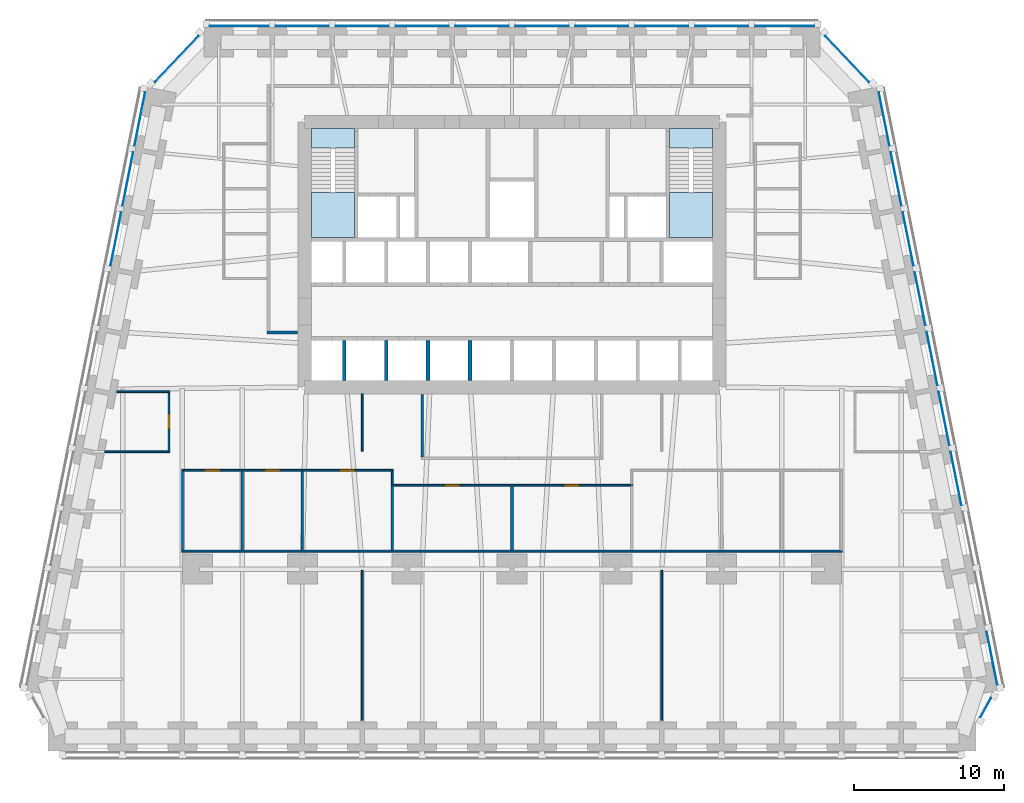
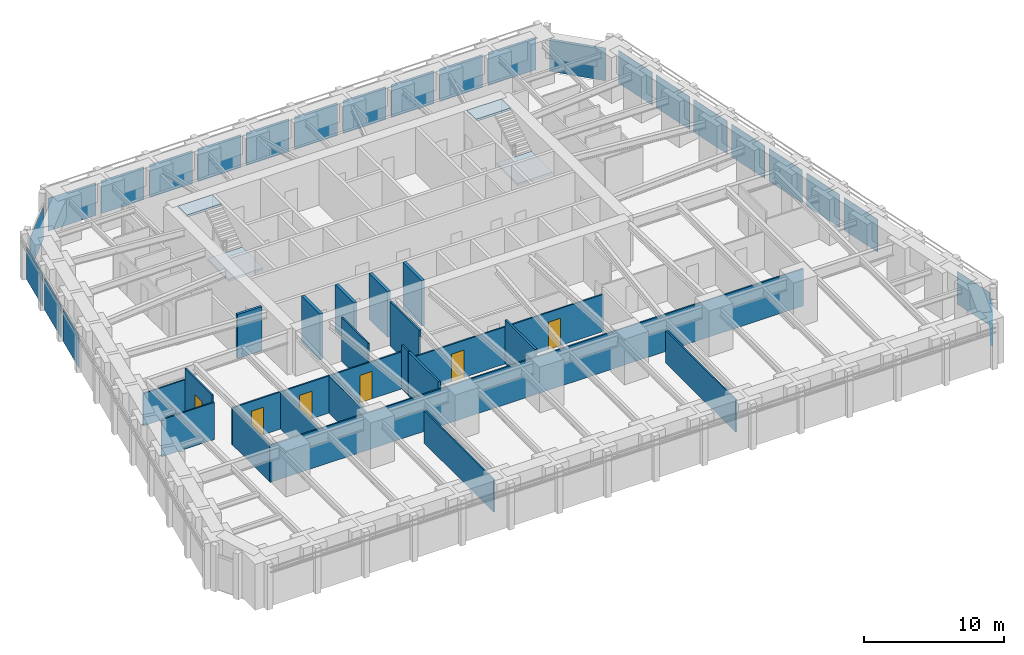
# One storey, part 5 of 10: 24 plates, 21 walls, 6 doors, 4 slabs, 6 openings, 8 elements without a shape of their own.
"""IFC4 building model written with IfcOpenShell, lengths in metres."""

from ifc_helpers import new_model, si_unit, direction, frame, frame_2d, origin, origin_2d, place, context, subcontext, project, spatial, polyline, rectangle, outline, extrude, material, layer, layer_set, type_object, element, fill, aggregate, save


model = new_model("IFC4")

# Units and contexts
model_context = context("Model", 3, precision=1e-05, world=origin(), true_north=direction((0.0, 1.0)))
body_context = subcontext(model_context, "Body", "Model", "MODEL_VIEW")
ifc_project = project(units=[si_unit("LENGTHUNIT", "METRE"), si_unit("AREAUNIT", "SQUARE_METRE"), si_unit("VOLUMEUNIT", "CUBIC_METRE"), si_unit("PLANEANGLEUNIT", "RADIAN"), si_unit("MASSUNIT", "GRAM", prefix="KILO")], contexts=[model_context])

# Site, building, storey
site_placement = place(None, origin())
site = spatial("IfcSite", under=ifc_project, at=site_placement, CompositionType="ELEMENT")
building_placement = place(site_placement, origin())
building = spatial("IfcBuilding", under=site, at=building_placement, Name="Isbrekke Arena Tower", CompositionType="ELEMENT")
storey_placement = place(building_placement, frame((0.0, 0.0, 80.0)))
storey = spatial("IfcBuildingStorey", under=building, at=storey_placement, Name="L17", CompositionType="ELEMENT", Elevation=80.0)

# Curtain wall, plate
ifc_material_1 = material(Name="Glazed aluminium curtain wall", Category="aluminium")
curtain_wall_type = type_object("IfcCurtainWallType", Name="CWL TOWER CURTAIN WALL LOW ZONE", PredefinedType="USERDEFINED", material=ifc_material_1)
curtain_wall_1_placement = place(storey_placement, origin())
curtain_wall_1 = element("IfcCurtainWall", 1, at=curtain_wall_1_placement, inside=storey, type_object=curtain_wall_type, Name="CWL curtain wall L17-SE", ObjectType="TOWER CURTAIN WALL LOW ZONE", PredefinedType="USERDEFINED")
ifc_material_2 = material(Name="Triple-glazed clear glass unit", Category="glass")
ifc_layer_1 = layer(ifc_material_2, 0.031982421875)
ifc_layer_set_1 = layer_set([ifc_layer_1], Name="CWL-P VISION PANEL")
plate_type = type_object("IfcPlateType", Name="CWL-P VISION PANEL", PredefinedType="CURTAIN_PANEL", material=ifc_layer_set_1)
plate_1_placement = place(storey_placement, frame((31.62744140625, -15.24853515625, 0.02001953125), z_axis=(0.0, 0.0, 1.0), x_axis=(0.481918749773, 0.876215908676, 0.0)))
plate_1 = element("IfcPlate", 2, at=plate_1_placement, type_object=plate_type, Name="CWL-P panel 1", PredefinedType="CURTAIN_PANEL", context=body_context, shape_type="SweptSolid", body=[
    extrude(rectangle(XDim=1.453369140625, YDim=0.031982421875, at=origin_2d()), origin(), (0.0, 0.0, 1.0), 2.8798828125),
])
aggregate(curtain_wall_1, [plate_1])

# Curtain wall, plates
curtain_wall_2_placement = place(storey_placement, origin())
curtain_wall_2 = element("IfcCurtainWall", 3, at=curtain_wall_2_placement, inside=storey, type_object=curtain_wall_type, Name="CWL curtain wall L17-E", ObjectType="TOWER CURTAIN WALL LOW ZONE", PredefinedType="USERDEFINED")
plate_2_placement = place(storey_placement, frame((32.045166015625, -11.950927734375, 0.02001953125), z_axis=(0.0, 0.0, 1.0), x_axis=(-0.196116135138, 0.980580675691, 0.0)))
plate_2 = element("IfcPlate", 4, at=plate_2_placement, type_object=plate_type, Name="CWL-P panel 1", PredefinedType="CURTAIN_PANEL", context=body_context, shape_type="SweptSolid", body=[
    extrude(rectangle(XDim=3.629150390625, YDim=0.031982421875, at=origin_2d()), origin(), (0.0, 0.0, 1.0), 2.8798828125),
])
plate_3_placement = place(storey_placement, frame((29.645263671875, 0.049072265625, 0.02001953125), z_axis=(0.0, 0.0, 1.0), x_axis=(-0.196116135138, 0.980580675691, 0.0)))
plate_3 = element("IfcPlate", 5, at=plate_3_placement, type_object=plate_type, Name="CWL-P panel 4", PredefinedType="CURTAIN_PANEL", context=body_context, shape_type="SweptSolid", body=[
    extrude(rectangle(XDim=3.629150390625, YDim=0.031982421875, at=origin_2d()), origin(), (0.0, 0.0, 1.0), 2.8798828125),
])
plate_4_placement = place(storey_placement, frame((28.84521484375, 4.049072265625, 0.02001953125), z_axis=(0.0, 0.0, 1.0), x_axis=(-0.196116135138, 0.980580675691, 0.0)))
plate_4 = element("IfcPlate", 6, at=plate_4_placement, type_object=plate_type, Name="CWL-P panel 5", PredefinedType="CURTAIN_PANEL", context=body_context, shape_type="SweptSolid", body=[
    extrude(rectangle(XDim=3.629150390625, YDim=0.031982421875, at=origin_2d()), origin(), (0.0, 0.0, 1.0), 2.8798828125),
])
plate_5_placement = place(storey_placement, frame((28.045166015625, 8.049072265625, 0.02001953125), z_axis=(0.0, 0.0, 1.0), x_axis=(-0.196116135138, 0.980580675691, 0.0)))
plate_5 = element("IfcPlate", 7, at=plate_5_placement, type_object=plate_type, Name="CWL-P panel 6", PredefinedType="CURTAIN_PANEL", context=body_context, shape_type="SweptSolid", body=[
    extrude(rectangle(XDim=3.629150390625, YDim=0.031982421875, at=origin_2d()), origin(), (0.0, 0.0, 1.0), 2.8798828125),
])
plate_6_placement = place(storey_placement, frame((27.2451171875, 12.049072265625, 0.02001953125), z_axis=(0.0, 0.0, 1.0), x_axis=(-0.196116135138, 0.980580675691, 0.0)))
plate_6 = element("IfcPlate", 8, at=plate_6_placement, type_object=plate_type, Name="CWL-P panel 7", PredefinedType="CURTAIN_PANEL", context=body_context, shape_type="SweptSolid", body=[
    extrude(rectangle(XDim=3.629150390625, YDim=0.031982421875, at=origin_2d()), origin(), (0.0, 0.0, 1.0), 2.8798828125),
])
plate_7_placement = place(storey_placement, frame((26.445068359375, 16.049072265625, 0.02001953125), z_axis=(0.0, 0.0, 1.0), x_axis=(-0.196116135138, 0.980580675691, 0.0)))
plate_7 = element("IfcPlate", 9, at=plate_7_placement, type_object=plate_type, Name="CWL-P panel 8", PredefinedType="CURTAIN_PANEL", context=body_context, shape_type="SweptSolid", body=[
    extrude(rectangle(XDim=3.629150390625, YDim=0.031982421875, at=origin_2d()), origin(), (0.0, 0.0, 1.0), 2.8798828125),
])
plate_8_placement = place(storey_placement, frame((25.645263671875, 20.049072265625, 0.02001953125), z_axis=(0.0, 0.0, 1.0), x_axis=(-0.196116135138, 0.980580675691, 0.0)))
plate_8 = element("IfcPlate", 10, at=plate_8_placement, type_object=plate_type, Name="CWL-P panel 9", PredefinedType="CURTAIN_PANEL", context=body_context, shape_type="SweptSolid", body=[
    extrude(rectangle(XDim=3.629150390625, YDim=0.031982421875, at=origin_2d()), origin(), (0.0, 0.0, 1.0), 2.8798828125),
])
plate_9_placement = place(storey_placement, frame((24.84521484375, 24.049072265625, 0.02001953125), z_axis=(0.0, 0.0, 1.0), x_axis=(-0.196116135138, 0.980580675691, 0.0)))
plate_9 = element("IfcPlate", 11, at=plate_9_placement, type_object=plate_type, Name="CWL-P panel 10", PredefinedType="CURTAIN_PANEL", context=body_context, shape_type="SweptSolid", body=[
    extrude(rectangle(XDim=3.629150390625, YDim=0.031982421875, at=origin_2d()), origin(), (0.0, 0.0, 1.0), 2.8798828125),
])
aggregate(curtain_wall_2, [plate_2, plate_3, plate_4, plate_5, plate_6, plate_7, plate_8, plate_9])

# Curtain wall, plate
curtain_wall_3_placement = place(storey_placement, origin())
curtain_wall_3 = element("IfcCurtainWall", 12, at=curtain_wall_3_placement, inside=storey, type_object=curtain_wall_type, Name="CWL curtain wall L17-EN", ObjectType="TOWER CURTAIN WALL LOW ZONE", PredefinedType="USERDEFINED")
plate_10_placement = place(storey_placement, frame((22.386474609375, 28.05419921875, 0.02001953125), z_axis=(0.0, 0.0, 1.0), x_axis=(-0.68874946192, 0.72499943359, 0.0)))
plate_10 = element("IfcPlate", 13, at=plate_10_placement, type_object=plate_type, Name="CWL-P panel 1", PredefinedType="CURTAIN_PANEL", context=body_context, shape_type="SweptSolid", body=[
    extrude(rectangle(XDim=4.22900390625, YDim=0.031982421875, at=origin_2d()), origin(), (0.0, 0.0, 1.0), 2.8798828125),
])
aggregate(curtain_wall_3, [plate_10])

# Curtain wall, plates
curtain_wall_4_placement = place(storey_placement, origin())
curtain_wall_4 = element("IfcCurtainWall", 14, at=curtain_wall_4_placement, inside=storey, type_object=curtain_wall_type, Name="CWL curtain wall L17-N", ObjectType="TOWER CURTAIN WALL LOW ZONE", PredefinedType="USERDEFINED")
plate_11_placement = place(storey_placement, frame((18.199951171875, 30.25, 0.02001953125), z_axis=(0.0, 0.0, 1.0), x_axis=(-1.0, 0.0, 0.0)))
plate_11 = element("IfcPlate", 15, at=plate_11_placement, type_object=plate_type, Name="CWL-P panel 1", PredefinedType="CURTAIN_PANEL", context=body_context, shape_type="SweptSolid", body=[
    extrude(rectangle(XDim=3.949951171875, YDim=0.031982421875, at=origin_2d()), origin(), (0.0, 0.0, 1.0), 2.8798828125),
])
plate_12_placement = place(storey_placement, frame((14.0, 30.25, 0.02001953125), z_axis=(0.0, 0.0, 1.0), x_axis=(-1.0, 0.0, 0.0)))
plate_12 = element("IfcPlate", 16, at=plate_12_placement, type_object=plate_type, Name="CWL-P panel 2", PredefinedType="CURTAIN_PANEL", context=body_context, shape_type="SweptSolid", body=[
    extrude(rectangle(XDim=3.550048828125, YDim=0.031982421875, at=origin_2d()), origin(), (0.0, 0.0, 1.0), 2.8798828125),
])
plate_13_placement = place(storey_placement, frame((10.0, 30.25, 0.02001953125), z_axis=(0.0, 0.0, 1.0), x_axis=(-1.0, 0.0, 0.0)))
plate_13 = element("IfcPlate", 17, at=plate_13_placement, type_object=plate_type, Name="CWL-P panel 3", PredefinedType="CURTAIN_PANEL", context=body_context, shape_type="SweptSolid", body=[
    extrude(rectangle(XDim=3.550048828125, YDim=0.031982421875, at=origin_2d()), origin(), (0.0, 0.0, 1.0), 2.8798828125),
])
plate_14_placement = place(storey_placement, frame((6.0, 30.25, 0.02001953125), z_axis=(0.0, 0.0, 1.0), x_axis=(-1.0, 0.0, 0.0)))
plate_14 = element("IfcPlate", 18, at=plate_14_placement, type_object=plate_type, Name="CWL-P panel 4", PredefinedType="CURTAIN_PANEL", context=body_context, shape_type="SweptSolid", body=[
    extrude(rectangle(XDim=3.550048828125, YDim=0.031982421875, at=origin_2d()), origin(), (0.0, 0.0, 1.0), 2.8798828125),
])
plate_15_placement = place(storey_placement, frame((2.0, 30.25, 0.02001953125), z_axis=(0.0, 0.0, 1.0), x_axis=(-1.0, 0.0, 0.0)))
plate_15 = element("IfcPlate", 19, at=plate_15_placement, type_object=plate_type, Name="CWL-P panel 5", PredefinedType="CURTAIN_PANEL", context=body_context, shape_type="SweptSolid", body=[
    extrude(rectangle(XDim=3.550048828125, YDim=0.031982421875, at=origin_2d()), origin(), (0.0, 0.0, 1.0), 2.8798828125),
])
plate_16_placement = place(storey_placement, frame((-2.0, 30.25, 0.02001953125), z_axis=(0.0, 0.0, 1.0), x_axis=(-1.0, 0.0, 0.0)))
plate_16 = element("IfcPlate", 20, at=plate_16_placement, type_object=plate_type, Name="CWL-P panel 6", PredefinedType="CURTAIN_PANEL", context=body_context, shape_type="SweptSolid", body=[
    extrude(rectangle(XDim=3.550048828125, YDim=0.031982421875, at=origin_2d()), origin(), (0.0, 0.0, 1.0), 2.8798828125),
])
plate_17_placement = place(storey_placement, frame((-6.0, 30.25, 0.02001953125), z_axis=(0.0, 0.0, 1.0), x_axis=(-1.0, 0.0, 0.0)))
plate_17 = element("IfcPlate", 21, at=plate_17_placement, type_object=plate_type, Name="CWL-P panel 7", PredefinedType="CURTAIN_PANEL", context=body_context, shape_type="SweptSolid", body=[
    extrude(rectangle(XDim=3.550048828125, YDim=0.031982421875, at=origin_2d()), origin(), (0.0, 0.0, 1.0), 2.8798828125),
])
plate_18_placement = place(storey_placement, frame((-10.0, 30.25, 0.02001953125), z_axis=(0.0, 0.0, 1.0), x_axis=(-1.0, 0.0, 0.0)))
plate_18 = element("IfcPlate", 22, at=plate_18_placement, type_object=plate_type, Name="CWL-P panel 8", PredefinedType="CURTAIN_PANEL", context=body_context, shape_type="SweptSolid", body=[
    extrude(rectangle(XDim=3.550048828125, YDim=0.031982421875, at=origin_2d()), origin(), (0.0, 0.0, 1.0), 2.8798828125),
])
plate_19_placement = place(storey_placement, frame((-14.0, 30.25, 0.02001953125), z_axis=(0.0, 0.0, 1.0), x_axis=(-1.0, 0.0, 0.0)))
plate_19 = element("IfcPlate", 23, at=plate_19_placement, type_object=plate_type, Name="CWL-P panel 9", PredefinedType="CURTAIN_PANEL", context=body_context, shape_type="SweptSolid", body=[
    extrude(rectangle(XDim=3.550048828125, YDim=0.031982421875, at=origin_2d()), origin(), (0.0, 0.0, 1.0), 2.8798828125),
])
plate_20_placement = place(storey_placement, frame((-18.199951171875, 30.25, 0.02001953125), z_axis=(0.0, 0.0, 1.0), x_axis=(-1.0, 0.0, 0.0)))
plate_20 = element("IfcPlate", 24, at=plate_20_placement, type_object=plate_type, Name="CWL-P panel 10", PredefinedType="CURTAIN_PANEL", context=body_context, shape_type="SweptSolid", body=[
    extrude(rectangle(XDim=3.949951171875, YDim=0.031982421875, at=origin_2d()), origin(), (0.0, 0.0, 1.0), 2.8798828125),
])
aggregate(curtain_wall_4, [plate_11, plate_12, plate_13, plate_14, plate_15, plate_16, plate_17, plate_18, plate_19, plate_20])

# Curtain wall, plate
curtain_wall_5_placement = place(storey_placement, origin())
curtain_wall_5 = element("IfcCurtainWall", 25, at=curtain_wall_5_placement, inside=storey, type_object=curtain_wall_type, Name="CWL curtain wall L17-NW", ObjectType="TOWER CURTAIN WALL LOW ZONE", PredefinedType="USERDEFINED")
plate_21_placement = place(storey_placement, frame((-22.38623046875, 28.054443359375, 0.02001953125), z_axis=(0.0, 0.0, 1.0), x_axis=(-0.68874946192, -0.72499943359, 0.0)))
plate_21 = element("IfcPlate", 26, at=plate_21_placement, type_object=plate_type, Name="CWL-P panel 1", PredefinedType="CURTAIN_PANEL", context=body_context, shape_type="SweptSolid", body=[
    extrude(rectangle(XDim=4.22802734375, YDim=0.031982421875, at=origin_2d()), origin(), (0.0, 0.0, 1.0), 2.8798828125),
])
aggregate(curtain_wall_5, [plate_21])

# Curtain wall, plates
curtain_wall_6_placement = place(storey_placement, origin())
curtain_wall_6 = element("IfcCurtainWall", 27, at=curtain_wall_6_placement, inside=storey, type_object=curtain_wall_type, Name="CWL curtain wall L17-W", ObjectType="TOWER CURTAIN WALL LOW ZONE", PredefinedType="USERDEFINED")
plate_22_placement = place(storey_placement, frame((-24.84521484375, 24.049072265625, 0.02001953125), z_axis=(0.0, 0.0, 1.0), x_axis=(-0.196116135138, -0.980580675691, 0.0)))
plate_22 = element("IfcPlate", 28, at=plate_22_placement, type_object=plate_type, Name="CWL-P panel 1", PredefinedType="CURTAIN_PANEL", context=body_context, shape_type="SweptSolid", body=[
    extrude(rectangle(XDim=3.629150390625, YDim=0.031982421875, at=origin_2d()), origin(), (0.0, 0.0, 1.0), 2.8798828125),
])
plate_23_placement = place(storey_placement, frame((-25.645263671875, 20.049072265625, 0.02001953125), z_axis=(0.0, 0.0, 1.0), x_axis=(-0.196116135138, -0.980580675691, 0.0)))
plate_23 = element("IfcPlate", 29, at=plate_23_placement, type_object=plate_type, Name="CWL-P panel 2", PredefinedType="CURTAIN_PANEL", context=body_context, shape_type="SweptSolid", body=[
    extrude(rectangle(XDim=3.629150390625, YDim=0.031982421875, at=origin_2d()), origin(), (0.0, 0.0, 1.0), 2.8798828125),
])
plate_24_placement = place(storey_placement, frame((-26.445068359375, 16.049072265625, 0.02001953125), z_axis=(0.0, 0.0, 1.0), x_axis=(-0.196116135138, -0.980580675691, 0.0)))
plate_24 = element("IfcPlate", 30, at=plate_24_placement, type_object=plate_type, Name="CWL-P panel 3", PredefinedType="CURTAIN_PANEL", context=body_context, shape_type="SweptSolid", body=[
    extrude(rectangle(XDim=3.629150390625, YDim=0.031982421875, at=origin_2d()), origin(), (0.0, 0.0, 1.0), 2.8798828125),
])
aggregate(curtain_wall_6, [plate_22, plate_23, plate_24])

# Stair, slabs
ifc_material_3 = material(Name="Concrete B45 (C45/55) precast", Category="concrete")
stair_type = type_object("IfcStairType", Name="ST40 STAIR 1300 WIDE, 24 RISERS 167", PredefinedType="HALF_TURN_STAIR", material=ifc_material_3)
stair_1_placement = place(storey_placement, origin())
stair_1 = element("IfcStair", 31, at=stair_1_placement, inside=storey, type_object=stair_type, Name="ST1 stair L17", PredefinedType="HALF_TURN_STAIR")
ifc_material_4 = material(Name="Concrete B35 (C35/45)", Category="concrete")
ifc_layer_2 = layer(ifc_material_4, 0.199951171875)
ifc_layer_set_2 = layer_set([ifc_layer_2], Name="SL1 STAIR LANDING 200")
slab_type = type_object("IfcSlabType", Name="SL1 STAIR LANDING 200", PredefinedType="LANDING", material=ifc_layer_set_2)
slab_1_placement = place(storey_placement, frame((0.0, 0.0, 1.800048828125)))
slab_1 = element("IfcSlab", 32, at=slab_1_placement, type_object=slab_type, Name="ST1 landing 1", PredefinedType="LANDING", context=body_context, shape_type="SweptSolid", body=[
    extrude(outline(polyline([(-13.39990234375, 16.125), (-10.52490234375, 16.125), (-10.52490234375, 19.1298828125), (-13.39990234375, 19.1298828125), (-13.39990234375, 16.125)])), origin(), (0.0, 0.0, 1.0), 0.199951171875),
])
slab_2_placement = place(storey_placement, frame((0.0, 0.0, 3.800048828125)))
slab_2 = element("IfcSlab", 33, at=slab_2_placement, type_object=slab_type, Name="ST1 landing 2", PredefinedType="LANDING", context=body_context, shape_type="SweptSolid", body=[
    extrude(outline(polyline([(-13.39990234375, 22.10009765625), (-10.52490234375, 22.10009765625), (-10.52490234375, 23.39990234375), (-13.39990234375, 23.39990234375), (-13.39990234375, 22.10009765625)])), origin(), (0.0, 0.0, 1.0), 0.199951171875),
])
aggregate(stair_1, [slab_1, slab_2])

stair_2_placement = place(storey_placement, origin())
stair_2 = element("IfcStair", 34, at=stair_2_placement, inside=storey, type_object=stair_type, Name="ST2 stair L17", PredefinedType="HALF_TURN_STAIR")
slab_3_placement = place(storey_placement, frame((0.0, 0.0, 1.800048828125)))
slab_3 = element("IfcSlab", 35, at=slab_3_placement, type_object=slab_type, Name="ST2 landing 1", PredefinedType="LANDING", context=body_context, shape_type="SweptSolid", body=[
    extrude(outline(polyline([(10.52490234375, 16.125), (13.39990234375, 16.125), (13.39990234375, 19.1298828125), (10.52490234375, 19.1298828125), (10.52490234375, 16.125)])), origin(), (0.0, 0.0, 1.0), 0.199951171875),
])
slab_4_placement = place(storey_placement, frame((0.0, 0.0, 3.800048828125)))
slab_4 = element("IfcSlab", 36, at=slab_4_placement, type_object=slab_type, Name="ST2 landing 2", PredefinedType="LANDING", context=body_context, shape_type="SweptSolid", body=[
    extrude(outline(polyline([(10.52490234375, 22.10009765625), (13.39990234375, 22.10009765625), (13.39990234375, 23.39990234375), (10.52490234375, 23.39990234375), (10.52490234375, 22.10009765625)])), origin(), (0.0, 0.0, 1.0), 0.199951171875),
])
aggregate(stair_2, [slab_3, slab_4])

# Walls
ifc_material_5 = material(Name="Concrete B45 (C45/55)", Category="concrete")
ifc_layer_3 = layer(ifc_material_5, 0.25)
ifc_layer_set_3 = layer_set([ifc_layer_3], Name="CW6 SHAFT WALL 250")
wall_type_1 = type_object("IfcWallType", Name="CW6 SHAFT WALL 250", PredefinedType="SHEAR", material=ifc_layer_set_3)
for number, where, z_axis, x_axis, name in (
    (37, (-11.199951171875, 6.60009765625, 0.0), (0.0, 0.0, 1.0), (0.0, 1.0, 0.0), "Core wall SS01 L17"),
    (38, (-8.39990234375, 6.60009765625, 0.0), (0.0, 0.0, 1.0), (0.0, 1.0, 0.0), "Core wall SS02 L17"),
    (39, (-5.60009765625, 6.60009765625, 0.0), (0.0, 0.0, 1.0), (0.0, 1.0, 0.0), "Core wall SS03 L17"),
    (40, (-2.800048828125, 6.60009765625, 0.0), (0.0, 0.0, 1.0), (0.0, 1.0, 0.0), "Core wall SS04 L17"),
):
    element("IfcWall", number, at=place(storey_placement, frame(where, z_axis=z_axis, x_axis=x_axis)), inside=storey, type_object=wall_type_1, Name=name, PredefinedType="SHEAR", context=body_context, shape_type="SweptSolid", body=[
        extrude(rectangle(XDim=2.6748046875, YDim=0.25, at=frame_2d((1.33740234375, 0.0))), origin(), (0.0, 0.0, 1.0), 4.0),
    ])
ifc_material_6 = material(Name="Gypsum board partition on steel studs", Category="steel")
ifc_layer_4 = layer(ifc_material_6, 0.14990234375)
ifc_layer_set_4 = layer_set([ifc_layer_4], Name="IW1 PARTITION 150")
wall_type_2 = type_object("IfcWallType", Name="IW1 PARTITION 150", PredefinedType="PARTITIONING", material=ifc_layer_set_4)
wall_1_placement = place(storey_placement, frame((-6.0, 1.47509765625, 0.0), z_axis=(0.0, 0.0, 1.0), x_axis=(0.0, 1.0, 0.0)))
element("IfcWall", 41, at=wall_1_placement, inside=storey, type_object=wall_type_2, Name="IW1 partition 150 L17", PredefinedType="PARTITIONING", context=body_context, shape_type="SweptSolid", body=[
    extrude(rectangle(XDim=4.19482421875, YDim=0.14990234375, at=frame_2d((2.097412109375, 0.0))), origin(), (0.0, 0.0, 1.0), 3.85009765625),
])
ifc_material_7 = material(Name="Frameless glazed partition, laminated acoustic glass", Category="glass")
ifc_layer_5 = layer(ifc_material_7, 0.1201171875)
ifc_layer_set_5 = layer_set([ifc_layer_5], Name="IW2 GLAZED PARTITION 120")
wall_type_3 = type_object("IfcWallType", Name="IW2 GLAZED PARTITION 120", PredefinedType="PARTITIONING", material=ifc_layer_set_5)
wall_2_placement = place(storey_placement, frame((-22.06005859375, -4.800048828125, 0.0), z_axis=(0.0, 0.0, 1.0), x_axis=(1.0, 0.0, 0.0)))
element("IfcWall", 42, at=wall_2_placement, inside=storey, type_object=wall_type_3, Name="IW2 glazed partition 120 L17", PredefinedType="PARTITIONING", context=body_context, shape_type="SweptSolid", body=[
    extrude(rectangle(XDim=44.1201171875, YDim=0.1201171875, at=frame_2d((22.06005859375, 0.0))), origin(), (0.0, 0.0, 1.0), 3.25),
])

# Wall, openings, doors
wall_3_placement = place(storey_placement, frame((-8.06005859375, -0.39990234375, 0.0), z_axis=(0.0, 0.0, 1.0), x_axis=(1.0, 0.0, 0.0)))
wall_3 = element("IfcWall", 43, at=wall_3_placement, inside=storey, type_object=wall_type_3, Name="IW2 glazed partition 120 L17", PredefinedType="PARTITIONING", context=body_context, shape_type="SweptSolid", body=[
    extrude(rectangle(XDim=16.1201171875, YDim=0.1201171875, at=frame_2d((8.06005859375, 0.0))), origin(), (0.0, 0.0, 1.0), 3.25),
])
opening_1_placement = place(wall_3_placement, frame((3.56005859375, 0.0, 0.0)))
opening_1 = element("IfcOpeningElement", 44, at=opening_1_placement, cuts=wall_3, Name="Opening D11", PredefinedType="OPENING", context=body_context, shape_type="SweptSolid", body=[
    extrude(rectangle(XDim=1.0, YDim=2.39990234375, at=frame_2d((0.5, 1.199951171875))), frame((0.0, 0.074951171875, 0.0), z_axis=(0.0, -1.0, 0.0), x_axis=(1.0, 0.0, 0.0)), (0.0, 0.0, 1.0), 0.14990234375),
])
opening_2_placement = place(wall_3_placement, frame((11.56005859375, 0.0, 0.0)))
opening_2 = element("IfcOpeningElement", 45, at=opening_2_placement, cuts=wall_3, Name="Opening D11", PredefinedType="OPENING", context=body_context, shape_type="SweptSolid", body=[
    extrude(rectangle(XDim=1.0, YDim=2.39990234375, at=frame_2d((0.5, 1.199951171875))), frame((0.0, 0.074951171875, 0.0), z_axis=(0.0, -1.0, 0.0), x_axis=(1.0, 0.0, 0.0)), (0.0, 0.0, 1.0), 0.14990234375),
])
ifc_material_8 = material(Name="Frameless glazed door", Category="glass")
door_type = type_object("IfcDoorType", Name="D11 GLAZED MEETING ROOM DOOR 1000 x 2400", OperationType="SINGLE_SWING_RIGHT", PredefinedType="DOOR", material=ifc_material_8)
door_1_placement = place(opening_1_placement, origin())
door_1 = element("IfcDoor", 46, at=door_1_placement, inside=storey, type_object=door_type, Name="D11 meeting room door L17", OperationType="SINGLE_SWING_RIGHT", OverallHeight=2.39990234375, OverallWidth=1.0, PredefinedType="DOOR", context=body_context, shape_type="SweptSolid", body=[
    extrude(rectangle(XDim=1.0, YDim=2.39990234375, at=frame_2d((0.5, 1.199951171875))), frame((0.0, 0.059814453125, 0.0), z_axis=(0.0, -1.0, 0.0), x_axis=(1.0, 0.0, 0.0)), (0.0, 0.0, 1.0), 0.11962890625),
])
fill(opening_1, door_1)
door_2_placement = place(opening_2_placement, origin())
door_2 = element("IfcDoor", 47, at=door_2_placement, inside=storey, type_object=door_type, Name="D11 meeting room door L17", OperationType="SINGLE_SWING_RIGHT", OverallHeight=2.39990234375, OverallWidth=1.0, PredefinedType="DOOR", context=body_context, shape_type="SweptSolid", body=[
    extrude(rectangle(XDim=1.0, YDim=2.39990234375, at=frame_2d((0.5, 1.199951171875))), frame((0.0, 0.059814453125, 0.0), z_axis=(0.0, -1.0, 0.0), x_axis=(1.0, 0.0, 0.0)), (0.0, 0.0, 1.0), 0.11962890625),
])
fill(opening_2, door_2)

wall_4_placement = place(storey_placement, frame((-22.06005859375, 0.60009765625, 0.0), z_axis=(0.0, 0.0, 1.0), x_axis=(1.0, 0.0, 0.0)))
wall_4 = element("IfcWall", 48, at=wall_4_placement, inside=storey, type_object=wall_type_3, Name="IW2 glazed partition 120 L17", PredefinedType="PARTITIONING", context=body_context, shape_type="SweptSolid", body=[
    extrude(rectangle(XDim=14.1201171875, YDim=0.1201171875, at=frame_2d((7.06005859375, 0.0))), origin(), (0.0, 0.0, 1.0), 3.25),
])
opening_3_placement = place(wall_4_placement, frame((1.56005859375, 0.0, 0.0)))
opening_3 = element("IfcOpeningElement", 49, at=opening_3_placement, cuts=wall_4, Name="Opening D11", PredefinedType="OPENING", context=body_context, shape_type="SweptSolid", body=[
    extrude(rectangle(XDim=1.0, YDim=2.39990234375, at=frame_2d((0.5, 1.199951171875))), frame((0.0, 0.074951171875, 0.0), z_axis=(0.0, -1.0, 0.0), x_axis=(1.0, 0.0, 0.0)), (0.0, 0.0, 1.0), 0.14990234375),
])
opening_4_placement = place(wall_4_placement, frame((5.56005859375, 0.0, 0.0)))
opening_4 = element("IfcOpeningElement", 50, at=opening_4_placement, cuts=wall_4, Name="Opening D11", PredefinedType="OPENING", context=body_context, shape_type="SweptSolid", body=[
    extrude(rectangle(XDim=1.0, YDim=2.39990234375, at=frame_2d((0.5, 1.199951171875))), frame((0.0, 0.074951171875, 0.0), z_axis=(0.0, -1.0, 0.0), x_axis=(1.0, 0.0, 0.0)), (0.0, 0.0, 1.0), 0.14990234375),
])
opening_5_placement = place(wall_4_placement, frame((10.56005859375, 0.0, 0.0)))
opening_5 = element("IfcOpeningElement", 51, at=opening_5_placement, cuts=wall_4, Name="Opening D11", PredefinedType="OPENING", context=body_context, shape_type="SweptSolid", body=[
    extrude(rectangle(XDim=1.0, YDim=2.39990234375, at=frame_2d((0.5, 1.199951171875))), frame((0.0, 0.074951171875, 0.0), z_axis=(0.0, -1.0, 0.0), x_axis=(1.0, 0.0, 0.0)), (0.0, 0.0, 1.0), 0.14990234375),
])
door_3_placement = place(opening_3_placement, origin())
door_3 = element("IfcDoor", 52, at=door_3_placement, inside=storey, type_object=door_type, Name="D11 meeting room door L17", OperationType="SINGLE_SWING_RIGHT", OverallHeight=2.39990234375, OverallWidth=1.0, PredefinedType="DOOR", context=body_context, shape_type="SweptSolid", body=[
    extrude(rectangle(XDim=1.0, YDim=2.39990234375, at=frame_2d((0.5, 1.199951171875))), frame((0.0, 0.059814453125, 0.0), z_axis=(0.0, -1.0, 0.0), x_axis=(1.0, 0.0, 0.0)), (0.0, 0.0, 1.0), 0.11962890625),
])
fill(opening_3, door_3)
door_4_placement = place(opening_4_placement, origin())
door_4 = element("IfcDoor", 53, at=door_4_placement, inside=storey, type_object=door_type, Name="D11 meeting room door L17", OperationType="SINGLE_SWING_RIGHT", OverallHeight=2.39990234375, OverallWidth=1.0, PredefinedType="DOOR", context=body_context, shape_type="SweptSolid", body=[
    extrude(rectangle(XDim=1.0, YDim=2.39990234375, at=frame_2d((0.5, 1.199951171875))), frame((0.0, 0.059814453125, 0.0), z_axis=(0.0, -1.0, 0.0), x_axis=(1.0, 0.0, 0.0)), (0.0, 0.0, 1.0), 0.11962890625),
])
fill(opening_4, door_4)
door_5_placement = place(opening_5_placement, origin())
door_5 = element("IfcDoor", 54, at=door_5_placement, inside=storey, type_object=door_type, Name="D11 meeting room door L17", OperationType="SINGLE_SWING_RIGHT", OverallHeight=2.39990234375, OverallWidth=1.0, PredefinedType="DOOR", context=body_context, shape_type="SweptSolid", body=[
    extrude(rectangle(XDim=1.0, YDim=2.39990234375, at=frame_2d((0.5, 1.199951171875))), frame((0.0, 0.059814453125, 0.0), z_axis=(0.0, -1.0, 0.0), x_axis=(1.0, 0.0, 0.0)), (0.0, 0.0, 1.0), 0.11962890625),
])
fill(opening_5, door_5)

# Walls
wall_5_placement = place(storey_placement, frame((-27.1962890625, 1.840087890625, 0.0), z_axis=(0.0, 0.0, 1.0), x_axis=(1.0, 0.0, 0.0)))
element("IfcWall", 55, at=wall_5_placement, inside=storey, type_object=wall_type_3, Name="IW2 glazed partition 120 L17", PredefinedType="PARTITIONING", context=body_context, shape_type="SweptSolid", body=[
    extrude(rectangle(XDim=4.356201171875, YDim=0.1201171875, at=frame_2d((2.17822265625, 0.0))), origin(), (0.0, 0.0, 1.0), 3.25),
])
wall_6_placement = place(storey_placement, frame((-26.396484375, 5.840087890625, 0.0), z_axis=(0.0, 0.0, 1.0), x_axis=(1.0, 0.0, 0.0)))
element("IfcWall", 56, at=wall_6_placement, inside=storey, type_object=wall_type_3, Name="IW2 glazed partition 120 L17", PredefinedType="PARTITIONING", context=body_context, shape_type="SweptSolid", body=[
    extrude(rectangle(XDim=3.556396484375, YDim=0.1201171875, at=frame_2d((1.7783203125, 0.0))), origin(), (0.0, 0.0, 1.0), 2.842041015625),
])

# Wall, opening, door
wall_7_placement = place(storey_placement, frame((-22.89990234375, 1.89990234375, 0.0), z_axis=(0.0, 0.0, 1.0), x_axis=(0.0, 1.0, 0.0)))
wall_7 = element("IfcWall", 57, at=wall_7_placement, inside=storey, type_object=wall_type_3, Name="IW2 glazed partition 120 L17", PredefinedType="PARTITIONING", context=body_context, shape_type="SweptSolid", body=[
    extrude(rectangle(XDim=3.880126953125, YDim=0.1201171875, at=frame_2d((1.93994140625, 0.0))), origin(), (0.0, 0.0, 1.0), 3.85009765625),
])
opening_6_placement = place(wall_7_placement, frame((1.43994140625, 0.0, 0.0)))
opening_6 = element("IfcOpeningElement", 58, at=opening_6_placement, cuts=wall_7, Name="Opening D11", PredefinedType="OPENING", context=body_context, shape_type="SweptSolid", body=[
    extrude(rectangle(XDim=1.0, YDim=2.39990234375, at=frame_2d((0.5, 1.199951171875))), frame((0.0, 0.074951171875, 0.0), z_axis=(0.0, -1.0, 0.0), x_axis=(1.0, 0.0, 0.0)), (0.0, 0.0, 1.0), 0.14990234375),
])
door_6_placement = place(opening_6_placement, origin())
door_6 = element("IfcDoor", 59, at=door_6_placement, inside=storey, type_object=door_type, Name="D11 project room door L17", OperationType="SINGLE_SWING_RIGHT", OverallHeight=2.39990234375, OverallWidth=1.0, PredefinedType="DOOR", context=body_context, shape_type="SweptSolid", body=[
    extrude(rectangle(XDim=1.0, YDim=2.39990234375, at=frame_2d((0.5, 1.199951171875))), frame((0.0, 0.059814453125, 0.0), z_axis=(0.0, -1.0, 0.0), x_axis=(1.0, 0.0, 0.0)), (0.0, 0.0, 1.0), 0.11962890625),
])
fill(opening_6, door_6)

# Walls
wall_8_placement = place(storey_placement, frame((-22.0, -4.739990234375, 0.0), z_axis=(0.0, 0.0, 1.0), x_axis=(0.0, 1.0, 0.0)))
element("IfcWall", 60, at=wall_8_placement, inside=storey, type_object=wall_type_3, Name="IW2 glazed partition 120 L17", PredefinedType="PARTITIONING", context=body_context, shape_type="SweptSolid", body=[
    extrude(rectangle(XDim=5.280029296875, YDim=0.1201171875, at=frame_2d((2.64013671875, 0.0))), origin(), (0.0, 0.0, 1.0), 3.25),
])
wall_9_placement = place(storey_placement, frame((-8.0, -0.340087890625, 0.0), z_axis=(0.0, 0.0, 1.0), x_axis=(0.0, 1.0, 0.0)))
element("IfcWall", 61, at=wall_9_placement, inside=storey, type_object=wall_type_3, Name="IW2 glazed partition 120 L17", PredefinedType="PARTITIONING", context=body_context, shape_type="SweptSolid", body=[
    extrude(rectangle(XDim=0.880126953125, YDim=0.1201171875, at=frame_2d((0.43994140625, 0.0))), origin(), (0.0, 0.0, 1.0), 3.85009765625),
])
wall_10_placement = place(storey_placement, frame((-9.9990234375, -16.10009765625, 0.0), z_axis=(0.0, 0.0, 1.0), x_axis=(0.0, 1.0, 0.0)))
element("IfcWall", 62, at=wall_10_placement, inside=storey, type_object=wall_type_3, Name="IW2 glazed partition 120 L17", PredefinedType="PARTITIONING", context=body_context, shape_type="SweptSolid", body=[
    extrude(rectangle(XDim=10.02001953125, YDim=0.1201171875, at=frame_2d((5.010009765625, 0.0))), origin(), (0.0, 0.0, 1.0), 2.842041015625),
])
wall_11_placement = place(storey_placement, frame((-9.9990234375, 1.8798828125, 0.0), z_axis=(0.0, 0.0, 1.0), x_axis=(0.0, 1.0, 0.0)))
element("IfcWall", 63, at=wall_11_placement, inside=storey, type_object=wall_type_3, Name="IW2 glazed partition 120 L17", PredefinedType="PARTITIONING", context=body_context, shape_type="SweptSolid", body=[
    extrude(rectangle(XDim=3.820068359375, YDim=0.1201171875, at=frame_2d((1.91015625, 0.0))), origin(), (0.0, 0.0, 1.0), 3.85009765625),
])
wall_12_placement = place(storey_placement, frame((10.0009765625, -16.10009765625, 0.0), z_axis=(0.0, 0.0, 1.0), x_axis=(0.0, 1.0, 0.0)))
element("IfcWall", 64, at=wall_12_placement, inside=storey, type_object=wall_type_3, Name="IW2 glazed partition 120 L17", PredefinedType="PARTITIONING", context=body_context, shape_type="SweptSolid", body=[
    extrude(rectangle(XDim=10.02001953125, YDim=0.1201171875, at=frame_2d((5.010009765625, 0.0))), origin(), (0.0, 0.0, 1.0), 2.842041015625),
])
ifc_material_9 = material(Name="Gypsum board fire-cell wall on steel studs, two layers each side", Category="steel")
ifc_layer_6 = layer(ifc_material_9, 0.199951171875)
ifc_layer_set_6 = layer_set([ifc_layer_6], Name="IW3 FIRE-CELL WALL 200")
wall_type_4 = type_object("IfcWallType", Name="IW3 FIRE-CELL WALL 200", PredefinedType="PARTITIONING", material=ifc_layer_set_6)
wall_13_placement = place(storey_placement, frame((-16.35009765625, 9.800048828125, 0.0), z_axis=(0.0, 0.0, 1.0), x_axis=(1.0, 0.0, 0.0)))
element("IfcWall", 65, at=wall_13_placement, inside=storey, type_object=wall_type_4, Name="IW3 fire-cell wall 200 L17", PredefinedType="PARTITIONING", context=body_context, shape_type="SweptSolid", body=[
    extrude(rectangle(XDim=2.02001953125, YDim=0.199951171875, at=frame_2d((1.010009765625, 0.0))), origin(), (0.0, 0.0, 1.0), 3.85009765625),
])
ifc_material_10 = material(Name="Gypsum board acoustic partition on twin steel studs", Category="steel")
ifc_layer_7 = layer(ifc_material_10, 0.175048828125)
ifc_layer_set_7 = layer_set([ifc_layer_7], Name="IW4 ACOUSTIC PARTITION 175")
wall_type_5 = type_object("IfcWallType", Name="IW4 ACOUSTIC PARTITION 175", PredefinedType="PARTITIONING", material=ifc_layer_set_7)
for number, where, z_axis, x_axis, name in (
    (66, (-18.0, -4.739990234375, 0.0), (0.0, 0.0, 1.0), (0.0, 1.0, 0.0), "IW4 acoustic partition 175 L17"),
    (67, (-14.0, -4.739990234375, 0.0), (0.0, 0.0, 1.0), (0.0, 1.0, 0.0), "IW4 acoustic partition 175 L17"),
):
    element("IfcWall", number, at=place(storey_placement, frame(where, z_axis=z_axis, x_axis=x_axis)), inside=storey, type_object=wall_type_5, Name=name, PredefinedType="PARTITIONING", context=body_context, shape_type="SweptSolid", body=[
        extrude(rectangle(XDim=5.280029296875, YDim=0.175048828125, at=frame_2d((2.64013671875, 0.0))), origin(), (0.0, 0.0, 1.0), 3.25),
    ])
for number, where, z_axis, x_axis, name in (
    (68, (-8.0, -4.739990234375, 0.0), (0.0, 0.0, 1.0), (0.0, 1.0, 0.0), "IW4 acoustic partition 175 L17"),
    (69, (0.0, -4.739990234375, 0.0), (0.0, 0.0, 1.0), (0.0, 1.0, 0.0), "IW4 acoustic partition 175 L17"),
):
    element("IfcWall", number, at=place(storey_placement, frame(where, z_axis=z_axis, x_axis=x_axis)), inside=storey, type_object=wall_type_5, Name=name, PredefinedType="PARTITIONING", context=body_context, shape_type="SweptSolid", body=[
        extrude(rectangle(XDim=4.280029296875, YDim=0.175048828125, at=frame_2d((2.14013671875, 0.0))), origin(), (0.0, 0.0, 1.0), 3.85009765625),
    ])

save(model, "model.ifc")
